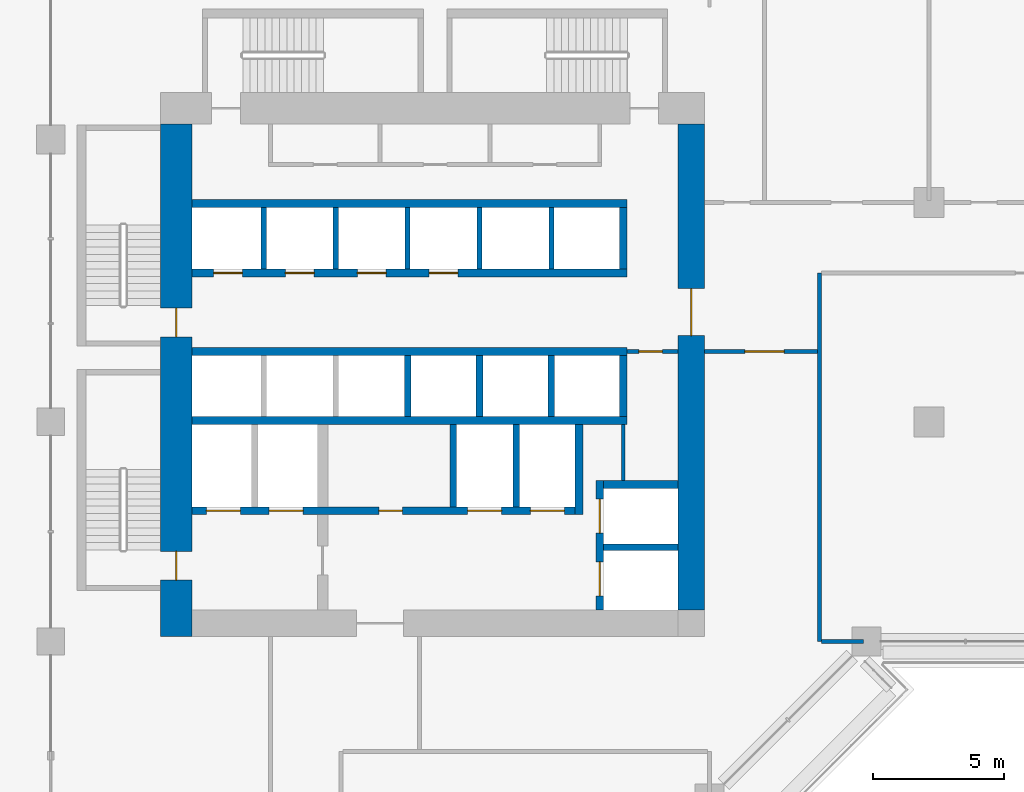
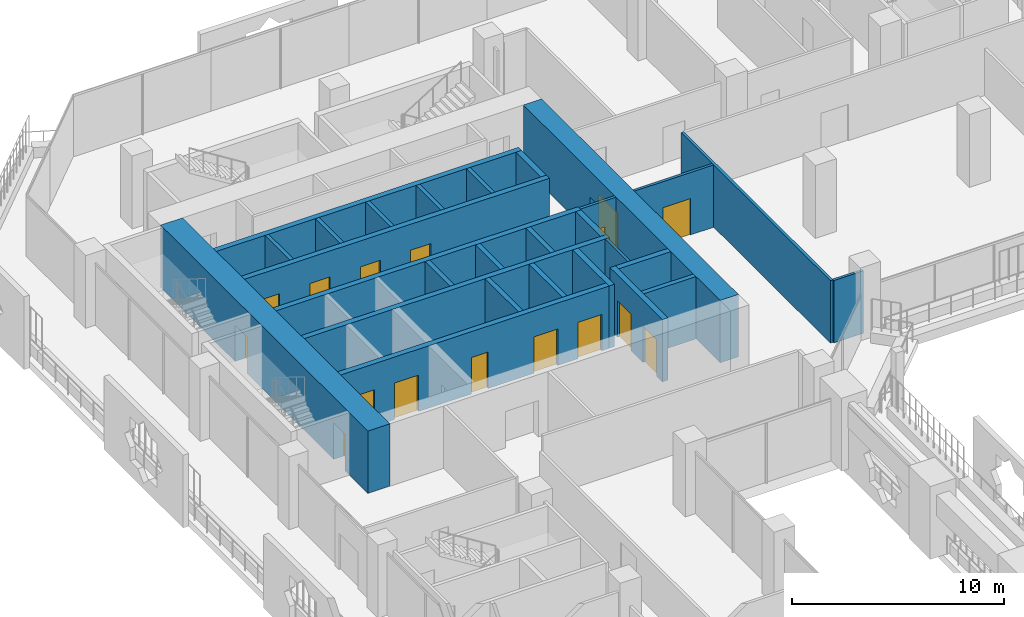
# One storey, part 14 of 27: 28 walls, 16 doors, 16 openings.
"""IFC4 building model written with IfcOpenShell, lengths in metres."""

from ifc_helpers import new_model, si_unit, direction, frame, frame_2d, origin, place, context, subcontext, project, spatial, rectangle, extrude, material, layer, layer_set, type_object, element, fill, save


model = new_model("IFC4")

# Units and contexts
model_context = context("Model", 3, precision=1e-05, world=origin(), true_north=direction((0.0, 1.0)))
body_context = subcontext(model_context, "Body", "Model", "MODEL_VIEW")
ifc_project = project(units=[si_unit("LENGTHUNIT", "METRE"), si_unit("AREAUNIT", "SQUARE_METRE"), si_unit("VOLUMEUNIT", "CUBIC_METRE"), si_unit("PLANEANGLEUNIT", "RADIAN"), si_unit("MASSUNIT", "GRAM", prefix="KILO")], contexts=[model_context])

# Site, building, storey
site_placement = place(None, origin())
site = spatial("IfcSite", under=ifc_project, at=site_placement, CompositionType="ELEMENT")
building_placement = place(site_placement, origin())
building = spatial("IfcBuilding", under=site, at=building_placement, Name="Kawkab Arch Medical Tower", CompositionType="ELEMENT")
storey_placement = place(building_placement, frame((0.0, 0.0, 103.0)))
storey = spatial("IfcBuildingStorey", under=building, at=storey_placement, Name="L23", CompositionType="ELEMENT", Elevation=103.0)

# Wall, opening, door
ifc_material_1 = material(Name="Concrete C60/75", Category="concrete")
ifc_layer_1 = layer(ifc_material_1, 1.0)
ifc_layer_set_1 = layer_set([ifc_layer_1], Name="Concrete C60/75")
wall_type_1 = type_object("IfcWallType", Name="Core ring wall 1000 C60/75", PredefinedType="SHEAR", material=ifc_layer_set_1)
wall_1_placement = place(storey_placement, frame((24.5, -24.0, 0.0), z_axis=(0.0, 0.0, 1.0), x_axis=(0.0, 1.0, 0.0)))
wall_1 = element("IfcWall", 1, at=wall_1_placement, inside=storey, type_object=wall_type_1, Name="L23 core wall", PredefinedType="SHEAR", context=body_context, shape_type="SweptSolid", body=[
    extrude(rectangle(XDim=18.60009765625, YDim=1.0, at=frame_2d((9.300048828125, 0.0))), origin(), (0.0, 0.0, 1.0), 3.60009765625),
])
opening_1_placement = place(wall_1_placement, frame((10.5, 0.0, 0.0)))
opening_1 = element("IfcOpeningElement", 2, at=opening_1_placement, cuts=wall_1, Name="Opening PD", PredefinedType="OPENING", context=body_context, shape_type="SweptSolid", body=[
    extrude(rectangle(XDim=1.800048828125, YDim=2.10009765625, at=frame_2d((0.89990234375, 1.050048828125))), frame((0.0, 0.510009765625, 0.0), z_axis=(0.0, -1.0, 0.0), x_axis=(1.0, 0.0, 0.0)), (0.0, 0.0, 1.0), 1.02001953125),
])
ifc_material_2 = material(Name="Hollow metal fire door leaf")
door_type_1 = type_object("IfcDoorType", Name="Core entrance doors 1800", OperationType="DOUBLE_DOOR_SINGLE_SWING", PredefinedType="DOOR", material=ifc_material_2)
door_1_placement = place(opening_1_placement, origin())
door_1 = element("IfcDoor", 3, at=door_1_placement, inside=storey, type_object=door_type_1, Name="L23 East entrance doors", OperationType="DOUBLE_DOOR_SINGLE_SWING", OverallHeight=2.10009765625, OverallWidth=1.800048828125, PredefinedType="DOOR", context=body_context, shape_type="SweptSolid", body=[
    extrude(rectangle(XDim=1.800048828125, YDim=2.10009765625, at=frame_2d((0.89990234375, 1.050048828125))), frame((0.0, 0.02490234375, 0.0), z_axis=(0.0, -1.0, 0.0), x_axis=(1.0, 0.0, 0.0)), (0.0, 0.0, 1.0), 0.050048828125),
])
fill(opening_1, door_1)

# Wall, openings, doors
ifc_material_3 = material(Name="Concrete C60/75", Category="concrete")
ifc_layer_2 = layer(ifc_material_3, 1.199951171875)
ifc_layer_set_2 = layer_set([ifc_layer_2], Name="Concrete C60/75")
wall_type_2 = type_object("IfcWallType", Name="Core ring wall 1200 C60/75", PredefinedType="SHEAR", material=ifc_layer_set_2)
wall_2_placement = place(storey_placement, frame((4.800048828125, -25.0, 0.0), z_axis=(0.0, 0.0, 1.0), x_axis=(0.0, 1.0, 0.0)))
wall_2 = element("IfcWall", 4, at=wall_2_placement, inside=storey, type_object=wall_type_2, Name="L23 core wall", PredefinedType="SHEAR", context=body_context, shape_type="SweptSolid", body=[
    extrude(rectangle(XDim=19.60009765625, YDim=1.199951171875, at=frame_2d((9.800048828125, 0.0))), origin(), (0.0, 0.0, 1.0), 3.60009765625),
])
opening_2_placement = place(wall_2_placement, frame((11.449951171875, 0.0, 0.0)))
opening_2 = element("IfcOpeningElement", 5, at=opening_2_placement, cuts=wall_2, Name="Opening SD", PredefinedType="OPENING", context=body_context, shape_type="SweptSolid", body=[
    extrude(rectangle(XDim=1.10009765625, YDim=2.10009765625, at=frame_2d((0.550048828125, 1.050048828125))), frame((0.0, 0.60986328125, 0.0), z_axis=(0.0, -1.0, 0.0), x_axis=(1.0, 0.0, 0.0)), (0.0, 0.0, 1.0), 1.219970703125),
])
opening_3_placement = place(wall_2_placement, frame((2.14990234375, 0.0, 0.0)))
opening_3 = element("IfcOpeningElement", 6, at=opening_3_placement, cuts=wall_2, Name="Opening SD", PredefinedType="OPENING", context=body_context, shape_type="SweptSolid", body=[
    extrude(rectangle(XDim=1.10009765625, YDim=2.10009765625, at=frame_2d((0.550048828125, 1.050048828125))), frame((0.0, 0.60986328125, 0.0), z_axis=(0.0, -1.0, 0.0), x_axis=(1.0, 0.0, 0.0)), (0.0, 0.0, 1.0), 1.219970703125),
])
ifc_material_4 = material(Name="Hollow metal fire door leaf")
door_type_2 = type_object("IfcDoorType", Name="Exit stair door 1100", OperationType="SINGLE_SWING_LEFT", PredefinedType="DOOR", material=ifc_material_4)
door_2_placement = place(opening_2_placement, origin())
door_2 = element("IfcDoor", 7, at=door_2_placement, inside=storey, type_object=door_type_2, Name="L23 Exit stair ST1 door", OperationType="SINGLE_SWING_LEFT", OverallHeight=2.10009765625, OverallWidth=1.10009765625, PredefinedType="DOOR", context=body_context, shape_type="SweptSolid", body=[
    extrude(rectangle(XDim=1.10009765625, YDim=2.10009765625, at=frame_2d((0.550048828125, 1.050048828125))), frame((0.0, 0.02490234375, 0.0), z_axis=(0.0, -1.0, 0.0), x_axis=(1.0, 0.0, 0.0)), (0.0, 0.0, 1.0), 0.050048828125),
])
fill(opening_2, door_2)
door_3_placement = place(opening_3_placement, origin())
door_3 = element("IfcDoor", 8, at=door_3_placement, inside=storey, type_object=door_type_2, Name="L23 Exit stair ST2 door", OperationType="SINGLE_SWING_LEFT", OverallHeight=2.10009765625, OverallWidth=1.10009765625, PredefinedType="DOOR", context=body_context, shape_type="SweptSolid", body=[
    extrude(rectangle(XDim=1.10009765625, YDim=2.10009765625, at=frame_2d((0.550048828125, 1.050048828125))), frame((0.0, 0.02490234375, 0.0), z_axis=(0.0, -1.0, 0.0), x_axis=(1.0, 0.0, 0.0)), (0.0, 0.0, 1.0), 0.050048828125),
])
fill(opening_3, door_3)

# Wall
ifc_material_5 = material(Name="Gypsum board on steel studs", Category="steel")
ifc_layer_3 = layer(ifc_material_5, 0.14990234375)
ifc_layer_set_3 = layer_set([ifc_layer_3], Name="Gypsum board on steel studs")
wall_type_3 = type_object("IfcWallType", Name="Core room partition 150", PredefinedType="PARTITIONING", material=ifc_layer_set_3)
wall_3_placement = place(storey_placement, frame((21.89990234375, -19.050048828125, 0.0), z_axis=(0.0, 0.0, 1.0), x_axis=(0.0, 1.0, 0.0)))
element("IfcWall", 9, at=wall_3_placement, inside=storey, type_object=wall_type_3, Name="L23 core room partition", PredefinedType="PARTITIONING", context=body_context, shape_type="SweptSolid", body=[
    extrude(rectangle(XDim=2.150146484375, YDim=0.14990234375, at=frame_2d((1.0751953125, 0.0))), origin(), (0.0, 0.0, 1.0), 3.60009765625),
])

# Wall, opening, door
wall_4_placement = place(storey_placement, frame((22.050048828125, -14.10009765625, 0.0), z_axis=(0.0, 0.0, 1.0), x_axis=(1.0, 0.0, 0.0)))
wall_4 = element("IfcWall", 10, at=wall_4_placement, inside=storey, type_object=wall_type_3, Name="L23 core room partition", PredefinedType="PARTITIONING", context=body_context, shape_type="SweptSolid", body=[
    extrude(rectangle(XDim=1.949951171875, YDim=0.14990234375, at=frame_2d((0.97509765625, 0.0))), origin(), (0.0, 0.0, 1.0), 3.60009765625),
])
opening_4_placement = place(wall_4_placement, frame((0.449951171875, 0.0, 0.0)))
opening_4 = element("IfcOpeningElement", 11, at=opening_4_placement, cuts=wall_4, Name="Opening RD", PredefinedType="OPENING", context=body_context, shape_type="SweptSolid", body=[
    extrude(rectangle(XDim=0.89990234375, YDim=2.10009765625, at=frame_2d((0.449951171875, 1.050048828125))), frame((0.0, 0.0849609375, 0.0), z_axis=(0.0, -1.0, 0.0), x_axis=(1.0, 0.0, 0.0)), (0.0, 0.0, 1.0), 0.169921875),
])
ifc_material_6 = material(Name="Hollow metal fire door leaf")
door_type_3 = type_object("IfcDoorType", Name="Core room door 900", OperationType="SINGLE_SWING_LEFT", PredefinedType="DOOR", material=ifc_material_6)
door_4_placement = place(opening_4_placement, origin())
door_4 = element("IfcDoor", 12, at=door_4_placement, inside=storey, type_object=door_type_3, Name="L23 Clean utility room door", OperationType="SINGLE_SWING_LEFT", OverallHeight=2.10009765625, OverallWidth=0.89990234375, PredefinedType="DOOR", context=body_context, shape_type="SweptSolid", body=[
    extrude(rectangle(XDim=0.89990234375, YDim=2.10009765625, at=frame_2d((0.449951171875, 1.050048828125))), frame((0.0, 0.02490234375, 0.0), z_axis=(0.0, -1.0, 0.0), x_axis=(1.0, 0.0, 0.0)), (0.0, 0.0, 1.0), 0.050048828125),
])
fill(opening_4, door_4)

# Walls
ifc_material_7 = material(Name="Concrete C60/75", Category="concrete")
ifc_layer_4 = layer(ifc_material_7, 0.25)
ifc_layer_set_4 = layer_set([ifc_layer_4], Name="Concrete C60/75")
wall_type_4 = type_object("IfcWallType", Name="Core shear wall 250 C60/75", PredefinedType="SHEAR", material=ifc_layer_set_4)
wall_5_placement = place(storey_placement, frame((21.14990234375, -21.60009765625, 0.0), z_axis=(0.0, 0.0, 1.0), x_axis=(1.0, 0.0, 0.0)))
element("IfcWall", 13, at=wall_5_placement, inside=storey, type_object=wall_type_4, Name="L23 core shear wall", PredefinedType="SHEAR", context=body_context, shape_type="SweptSolid", body=[
    extrude(rectangle(XDim=2.85009765625, YDim=0.25, at=frame_2d((1.425048828125, 0.0))), origin(), (0.0, 0.0, 1.0), 3.60009765625),
])
for number, where, z_axis, x_axis, name in (
    (14, (15.39990234375, -20.050048828125, 0.0), (0.0, 0.0, 1.0), (0.0, 1.0, 0.0), "L23 core shear wall"),
    (15, (17.800048828125, -20.050048828125, 0.0), (0.0, 0.0, 1.0), (0.0, 1.0, 0.0), "L23 core shear wall"),
):
    element("IfcWall", number, at=place(storey_placement, frame(where, z_axis=z_axis, x_axis=x_axis)), inside=storey, type_object=wall_type_4, Name=name, PredefinedType="SHEAR", context=body_context, shape_type="SweptSolid", body=[
        extrude(rectangle(XDim=3.150146484375, YDim=0.25, at=frame_2d((1.5751953125, 0.0))), origin(), (0.0, 0.0, 1.0), 3.60009765625),
    ])
for number, where, z_axis, x_axis, name in (
    (16, (13.64990234375, -16.60009765625, 0.0), (0.0, 0.0, 1.0), (0.0, 1.0, 0.0), "L23 core shear wall"),
    (17, (16.39990234375, -16.60009765625, 0.0), (0.0, 0.0, 1.0), (0.0, 1.0, 0.0), "L23 core shear wall"),
    (18, (19.14990234375, -16.60009765625, 0.0), (0.0, 0.0, 1.0), (0.0, 1.0, 0.0), "L23 core shear wall"),
):
    element("IfcWall", number, at=place(storey_placement, frame(where, z_axis=z_axis, x_axis=x_axis)), inside=storey, type_object=wall_type_4, Name=name, PredefinedType="SHEAR", context=body_context, shape_type="SweptSolid", body=[
        extrude(rectangle(XDim=2.35009765625, YDim=0.25, at=frame_2d((1.175048828125, 0.0))), origin(), (0.0, 0.0, 1.0), 3.60009765625),
    ])
ifc_material_8 = material(Name="Concrete C60/75", Category="concrete")
ifc_layer_5 = layer(ifc_material_8, 0.300048828125)
ifc_layer_set_5 = layer_set([ifc_layer_5], Name="Concrete C60/75")
wall_type_5 = type_object("IfcWallType", Name="Core shear wall 300 C60/75", PredefinedType="SHEAR", material=ifc_layer_set_5)
wall_6_placement = place(storey_placement, frame((5.39990234375, -8.449951171875, 0.0), z_axis=(0.0, 0.0, 1.0), x_axis=(1.0, 0.0, 0.0)))
element("IfcWall", 19, at=wall_6_placement, inside=storey, type_object=wall_type_5, Name="L23 core shear wall", PredefinedType="SHEAR", context=body_context, shape_type="SweptSolid", body=[
    extrude(rectangle(XDim=16.650146484375, YDim=0.300048828125, at=frame_2d((8.3251953125, 0.0))), origin(), (0.0, 0.0, 1.0), 3.60009765625),
])

# Wall, openings, doors
wall_7_placement = place(storey_placement, frame((5.39990234375, -11.10009765625, 0.0), z_axis=(0.0, 0.0, 1.0), x_axis=(1.0, 0.0, 0.0)))
wall_7 = element("IfcWall", 20, at=wall_7_placement, inside=storey, type_object=wall_type_5, Name="L23 core shear wall", PredefinedType="SHEAR", context=body_context, shape_type="SweptSolid", body=[
    extrude(rectangle(XDim=16.650146484375, YDim=0.300048828125, at=frame_2d((8.3251953125, 0.0))), origin(), (0.0, 0.0, 1.0), 3.60009765625),
])
opening_5_placement = place(wall_7_placement, frame((0.824951171875, 0.0, 0.0)))
opening_5 = element("IfcOpeningElement", 21, at=opening_5_placement, cuts=wall_7, Name="Opening LD1", PredefinedType="OPENING", context=body_context, shape_type="SweptSolid", body=[
    extrude(rectangle(XDim=1.10009765625, YDim=2.10009765625, at=frame_2d((0.550048828125, 1.050048828125))), frame((0.0, 0.159912109375, 0.0), z_axis=(0.0, -1.0, 0.0), x_axis=(1.0, 0.0, 0.0)), (0.0, 0.0, 1.0), 0.320068359375),
])
opening_6_placement = place(wall_7_placement, frame((3.574951171875, 0.0, 0.0)))
opening_6 = element("IfcOpeningElement", 22, at=opening_6_placement, cuts=wall_7, Name="Opening LD1", PredefinedType="OPENING", context=body_context, shape_type="SweptSolid", body=[
    extrude(rectangle(XDim=1.10009765625, YDim=2.10009765625, at=frame_2d((0.550048828125, 1.050048828125))), frame((0.0, 0.159912109375, 0.0), z_axis=(0.0, -1.0, 0.0), x_axis=(1.0, 0.0, 0.0)), (0.0, 0.0, 1.0), 0.320068359375),
])
opening_7_placement = place(wall_7_placement, frame((6.324951171875, 0.0, 0.0)))
opening_7 = element("IfcOpeningElement", 23, at=opening_7_placement, cuts=wall_7, Name="Opening LD1", PredefinedType="OPENING", context=body_context, shape_type="SweptSolid", body=[
    extrude(rectangle(XDim=1.10009765625, YDim=2.10009765625, at=frame_2d((0.550048828125, 1.050048828125))), frame((0.0, 0.159912109375, 0.0), z_axis=(0.0, -1.0, 0.0), x_axis=(1.0, 0.0, 0.0)), (0.0, 0.0, 1.0), 0.320068359375),
])
opening_8_placement = place(wall_7_placement, frame((9.074951171875, 0.0, 0.0)))
opening_8 = element("IfcOpeningElement", 24, at=opening_8_placement, cuts=wall_7, Name="Opening LD1", PredefinedType="OPENING", context=body_context, shape_type="SweptSolid", body=[
    extrude(rectangle(XDim=1.10009765625, YDim=2.10009765625, at=frame_2d((0.550048828125, 1.050048828125))), frame((0.0, 0.159912109375, 0.0), z_axis=(0.0, -1.0, 0.0), x_axis=(1.0, 0.0, 0.0)), (0.0, 0.0, 1.0), 0.320068359375),
])
ifc_material_9 = material(Name="Stainless steel lift door leaf", Category="steel")
door_type_4 = type_object("IfcDoorType", Name="Lift landing door 1100", OperationType="DOUBLE_DOOR_SLIDING", PredefinedType="DOOR", material=ifc_material_9)
door_5_placement = place(opening_5_placement, origin())
door_5 = element("IfcDoor", 25, at=door_5_placement, inside=storey, type_object=door_type_4, Name="L23 Lift landing door LP1", OperationType="DOUBLE_DOOR_SLIDING", OverallHeight=2.10009765625, OverallWidth=1.10009765625, PredefinedType="DOOR", context=body_context, shape_type="SweptSolid", body=[
    extrude(rectangle(XDim=1.10009765625, YDim=2.10009765625, at=frame_2d((0.550048828125, 1.050048828125))), frame((0.0, 0.02490234375, 0.0), z_axis=(0.0, -1.0, 0.0), x_axis=(1.0, 0.0, 0.0)), (0.0, 0.0, 1.0), 0.050048828125),
])
fill(opening_5, door_5)
door_6_placement = place(opening_6_placement, origin())
door_6 = element("IfcDoor", 26, at=door_6_placement, inside=storey, type_object=door_type_4, Name="L23 Lift landing door LP2", OperationType="DOUBLE_DOOR_SLIDING", OverallHeight=2.10009765625, OverallWidth=1.10009765625, PredefinedType="DOOR", context=body_context, shape_type="SweptSolid", body=[
    extrude(rectangle(XDim=1.10009765625, YDim=2.10009765625, at=frame_2d((0.550048828125, 1.050048828125))), frame((0.0, 0.02490234375, 0.0), z_axis=(0.0, -1.0, 0.0), x_axis=(1.0, 0.0, 0.0)), (0.0, 0.0, 1.0), 0.050048828125),
])
fill(opening_6, door_6)
door_7_placement = place(opening_7_placement, origin())
door_7 = element("IfcDoor", 27, at=door_7_placement, inside=storey, type_object=door_type_4, Name="L23 Lift landing door LP3", OperationType="DOUBLE_DOOR_SLIDING", OverallHeight=2.10009765625, OverallWidth=1.10009765625, PredefinedType="DOOR", context=body_context, shape_type="SweptSolid", body=[
    extrude(rectangle(XDim=1.10009765625, YDim=2.10009765625, at=frame_2d((0.550048828125, 1.050048828125))), frame((0.0, 0.02490234375, 0.0), z_axis=(0.0, -1.0, 0.0), x_axis=(1.0, 0.0, 0.0)), (0.0, 0.0, 1.0), 0.050048828125),
])
fill(opening_7, door_7)
door_8_placement = place(opening_8_placement, origin())
door_8 = element("IfcDoor", 28, at=door_8_placement, inside=storey, type_object=door_type_4, Name="L23 Lift landing door LP4", OperationType="DOUBLE_DOOR_SLIDING", OverallHeight=2.10009765625, OverallWidth=1.10009765625, PredefinedType="DOOR", context=body_context, shape_type="SweptSolid", body=[
    extrude(rectangle(XDim=1.10009765625, YDim=2.10009765625, at=frame_2d((0.550048828125, 1.050048828125))), frame((0.0, 0.02490234375, 0.0), z_axis=(0.0, -1.0, 0.0), x_axis=(1.0, 0.0, 0.0)), (0.0, 0.0, 1.0), 0.050048828125),
])
fill(opening_8, door_8)

# Walls
for number, where, z_axis, x_axis, name in (
    (29, (5.39990234375, -14.10009765625, 0.0), (0.0, 0.0, 1.0), (1.0, 0.0, 0.0), "L23 core shear wall"),
    (30, (5.39990234375, -16.75, 0.0), (0.0, 0.0, 1.0), (1.0, 0.0, 0.0), "L23 core shear wall"),
):
    element("IfcWall", number, at=place(storey_placement, frame(where, z_axis=z_axis, x_axis=x_axis)), inside=storey, type_object=wall_type_5, Name=name, PredefinedType="SHEAR", context=body_context, shape_type="SweptSolid", body=[
        extrude(rectangle(XDim=16.650146484375, YDim=0.300048828125, at=frame_2d((8.3251953125, 0.0))), origin(), (0.0, 0.0, 1.0), 3.60009765625),
    ])

# Wall, openings, doors
wall_8_placement = place(storey_placement, frame((5.39990234375, -20.199951171875, 0.0), z_axis=(0.0, 0.0, 1.0), x_axis=(1.0, 0.0, 0.0)))
wall_8 = element("IfcWall", 31, at=wall_8_placement, inside=storey, type_object=wall_type_5, Name="L23 core shear wall", PredefinedType="SHEAR", context=body_context, shape_type="SweptSolid", body=[
    extrude(rectangle(XDim=14.650146484375, YDim=0.300048828125, at=frame_2d((7.3251953125, 0.0))), origin(), (0.0, 0.0, 1.0), 3.60009765625),
])
opening_9_placement = place(wall_8_placement, frame((10.550048828125, 0.0, 0.0)))
opening_9 = element("IfcOpeningElement", 32, at=opening_9_placement, cuts=wall_8, Name="Opening LD2", PredefinedType="OPENING", context=body_context, shape_type="SweptSolid", body=[
    extrude(rectangle(XDim=1.300048828125, YDim=2.10009765625, at=frame_2d((0.64990234375, 1.050048828125))), frame((0.0, 0.159912109375, 0.0), z_axis=(0.0, -1.0, 0.0), x_axis=(1.0, 0.0, 0.0)), (0.0, 0.0, 1.0), 0.320068359375),
])
opening_10_placement = place(wall_8_placement, frame((12.949951171875, 0.0, 0.0)))
opening_10 = element("IfcOpeningElement", 33, at=opening_10_placement, cuts=wall_8, Name="Opening LD2", PredefinedType="OPENING", context=body_context, shape_type="SweptSolid", body=[
    extrude(rectangle(XDim=1.300048828125, YDim=2.10009765625, at=frame_2d((0.64990234375, 1.050048828125))), frame((0.0, 0.159912109375, 0.0), z_axis=(0.0, -1.0, 0.0), x_axis=(1.0, 0.0, 0.0)), (0.0, 0.0, 1.0), 0.320068359375),
])
opening_11_placement = place(wall_8_placement, frame((0.550048828125, 0.0, 0.0)))
opening_11 = element("IfcOpeningElement", 34, at=opening_11_placement, cuts=wall_8, Name="Opening LD2", PredefinedType="OPENING", context=body_context, shape_type="SweptSolid", body=[
    extrude(rectangle(XDim=1.300048828125, YDim=2.10009765625, at=frame_2d((0.64990234375, 1.050048828125))), frame((0.0, 0.159912109375, 0.0), z_axis=(0.0, -1.0, 0.0), x_axis=(1.0, 0.0, 0.0)), (0.0, 0.0, 1.0), 0.320068359375),
])
opening_12_placement = place(wall_8_placement, frame((2.949951171875, 0.0, 0.0)))
opening_12 = element("IfcOpeningElement", 35, at=opening_12_placement, cuts=wall_8, Name="Opening LD2", PredefinedType="OPENING", context=body_context, shape_type="SweptSolid", body=[
    extrude(rectangle(XDim=1.300048828125, YDim=2.10009765625, at=frame_2d((0.64990234375, 1.050048828125))), frame((0.0, 0.159912109375, 0.0), z_axis=(0.0, -1.0, 0.0), x_axis=(1.0, 0.0, 0.0)), (0.0, 0.0, 1.0), 0.320068359375),
])
opening_13_placement = place(wall_8_placement, frame((7.14990234375, 0.0, 0.0)))
opening_13 = element("IfcOpeningElement", 36, at=opening_13_placement, cuts=wall_8, Name="Opening RD", PredefinedType="OPENING", context=body_context, shape_type="SweptSolid", body=[
    extrude(rectangle(XDim=0.89990234375, YDim=2.10009765625, at=frame_2d((0.449951171875, 1.050048828125))), frame((0.0, 0.159912109375, 0.0), z_axis=(0.0, -1.0, 0.0), x_axis=(1.0, 0.0, 0.0)), (0.0, 0.0, 1.0), 0.320068359375),
])
door_9_placement = place(opening_13_placement, origin())
door_9 = element("IfcDoor", 37, at=door_9_placement, inside=storey, type_object=door_type_3, Name="L23 Equipment store door", OperationType="SINGLE_SWING_LEFT", OverallHeight=2.10009765625, OverallWidth=0.89990234375, PredefinedType="DOOR", context=body_context, shape_type="SweptSolid", body=[
    extrude(rectangle(XDim=0.89990234375, YDim=2.10009765625, at=frame_2d((0.449951171875, 1.050048828125))), frame((0.0, 0.02490234375, 0.0), z_axis=(0.0, -1.0, 0.0), x_axis=(1.0, 0.0, 0.0)), (0.0, 0.0, 1.0), 0.050048828125),
])
fill(opening_13, door_9)
ifc_material_10 = material(Name="Stainless steel lift door leaf", Category="steel")
door_type_5 = type_object("IfcDoorType", Name="Lift landing door 1300", OperationType="DOUBLE_DOOR_SLIDING", PredefinedType="DOOR", material=ifc_material_10)
door_10_placement = place(opening_9_placement, origin())
door_10 = element("IfcDoor", 38, at=door_10_placement, inside=storey, type_object=door_type_5, Name="L23 Lift landing door BD3", OperationType="DOUBLE_DOOR_SLIDING", OverallHeight=2.10009765625, OverallWidth=1.300048828125, PredefinedType="DOOR", context=body_context, shape_type="SweptSolid", body=[
    extrude(rectangle(XDim=1.300048828125, YDim=2.10009765625, at=frame_2d((0.64990234375, 1.050048828125))), frame((0.0, 0.02490234375, 0.0), z_axis=(0.0, -1.0, 0.0), x_axis=(1.0, 0.0, 0.0)), (0.0, 0.0, 1.0), 0.050048828125),
])
fill(opening_9, door_10)
door_11_placement = place(opening_10_placement, origin())
door_11 = element("IfcDoor", 39, at=door_11_placement, inside=storey, type_object=door_type_5, Name="L23 Lift landing door BD4", OperationType="DOUBLE_DOOR_SLIDING", OverallHeight=2.10009765625, OverallWidth=1.300048828125, PredefinedType="DOOR", context=body_context, shape_type="SweptSolid", body=[
    extrude(rectangle(XDim=1.300048828125, YDim=2.10009765625, at=frame_2d((0.64990234375, 1.050048828125))), frame((0.0, 0.02490234375, 0.0), z_axis=(0.0, -1.0, 0.0), x_axis=(1.0, 0.0, 0.0)), (0.0, 0.0, 1.0), 0.050048828125),
])
fill(opening_10, door_11)
door_12_placement = place(opening_11_placement, origin())
door_12 = element("IfcDoor", 40, at=door_12_placement, inside=storey, type_object=door_type_5, Name="L23 Lift landing door FL1", OperationType="DOUBLE_DOOR_SLIDING", OverallHeight=2.10009765625, OverallWidth=1.300048828125, PredefinedType="DOOR", context=body_context, shape_type="SweptSolid", body=[
    extrude(rectangle(XDim=1.300048828125, YDim=2.10009765625, at=frame_2d((0.64990234375, 1.050048828125))), frame((0.0, 0.02490234375, 0.0), z_axis=(0.0, -1.0, 0.0), x_axis=(1.0, 0.0, 0.0)), (0.0, 0.0, 1.0), 0.050048828125),
])
fill(opening_11, door_12)
door_13_placement = place(opening_12_placement, origin())
door_13 = element("IfcDoor", 41, at=door_13_placement, inside=storey, type_object=door_type_5, Name="L23 Lift landing door FL2", OperationType="DOUBLE_DOOR_SLIDING", OverallHeight=2.10009765625, OverallWidth=1.300048828125, PredefinedType="DOOR", context=body_context, shape_type="SweptSolid", body=[
    extrude(rectangle(XDim=1.300048828125, YDim=2.10009765625, at=frame_2d((0.64990234375, 1.050048828125))), frame((0.0, 0.02490234375, 0.0), z_axis=(0.0, -1.0, 0.0), x_axis=(1.0, 0.0, 0.0)), (0.0, 0.0, 1.0), 0.050048828125),
])
fill(opening_12, door_13)

# Walls
wall_9_placement = place(storey_placement, frame((20.199951171875, -20.35009765625, 0.0), z_axis=(0.0, 0.0, 1.0), x_axis=(0.0, 1.0, 0.0)))
element("IfcWall", 42, at=wall_9_placement, inside=storey, type_object=wall_type_5, Name="L23 core shear wall", PredefinedType="SHEAR", context=body_context, shape_type="SweptSolid", body=[
    extrude(rectangle(XDim=3.4501953125, YDim=0.300048828125, at=frame_2d((1.72509765625, 0.0))), origin(), (0.0, 0.0, 1.0), 3.60009765625),
])
wall_10_placement = place(storey_placement, frame((21.89990234375, -10.949951171875, 0.0), z_axis=(0.0, 0.0, 1.0), x_axis=(0.0, 1.0, 0.0)))
element("IfcWall", 43, at=wall_10_placement, inside=storey, type_object=wall_type_5, Name="L23 core shear wall", PredefinedType="SHEAR", context=body_context, shape_type="SweptSolid", body=[
    extrude(rectangle(XDim=2.349853515625, YDim=0.300048828125, at=frame_2d((1.1748046875, 0.0))), origin(), (0.0, 0.0, 1.0), 3.60009765625),
])
wall_11_placement = place(storey_placement, frame((21.89990234375, -16.60009765625, 0.0), z_axis=(0.0, 0.0, 1.0), x_axis=(0.0, 1.0, 0.0)))
element("IfcWall", 44, at=wall_11_placement, inside=storey, type_object=wall_type_5, Name="L23 core shear wall", PredefinedType="SHEAR", context=body_context, shape_type="SweptSolid", body=[
    extrude(rectangle(XDim=2.35009765625, YDim=0.300048828125, at=frame_2d((1.175048828125, 0.0))), origin(), (0.0, 0.0, 1.0), 3.60009765625),
])
wall_12_placement = place(storey_placement, frame((21.14990234375, -19.199951171875, 0.0), z_axis=(0.0, 0.0, 1.0), x_axis=(1.0, 0.0, 0.0)))
element("IfcWall", 45, at=wall_12_placement, inside=storey, type_object=wall_type_5, Name="L23 core shear wall", PredefinedType="SHEAR", context=body_context, shape_type="SweptSolid", body=[
    extrude(rectangle(XDim=2.85009765625, YDim=0.300048828125, at=frame_2d((1.425048828125, 0.0))), origin(), (0.0, 0.0, 1.0), 3.60009765625),
])

# Wall, openings, doors
wall_13_placement = place(storey_placement, frame((21.0, -24.0, 0.0), z_axis=(0.0, 0.0, 1.0), x_axis=(0.0, 1.0, 0.0)))
wall_13 = element("IfcWall", 46, at=wall_13_placement, inside=storey, type_object=wall_type_5, Name="L23 core shear wall", PredefinedType="SHEAR", context=body_context, shape_type="SweptSolid", body=[
    extrude(rectangle(XDim=4.949951171875, YDim=0.300048828125, at=frame_2d((2.47509765625, 0.0))), origin(), (0.0, 0.0, 1.0), 3.60009765625),
])
opening_14_placement = place(wall_13_placement, frame((2.949951171875, 0.0, 0.0)))
opening_14 = element("IfcOpeningElement", 47, at=opening_14_placement, cuts=wall_13, Name="Opening LD2", PredefinedType="OPENING", context=body_context, shape_type="SweptSolid", body=[
    extrude(rectangle(XDim=1.300048828125, YDim=2.10009765625, at=frame_2d((0.64990234375, 1.050048828125))), frame((0.0, 0.159912109375, 0.0), z_axis=(0.0, -1.0, 0.0), x_axis=(1.0, 0.0, 0.0)), (0.0, 0.0, 1.0), 0.320068359375),
])
opening_15_placement = place(wall_13_placement, frame((0.550048828125, 0.0, 0.0)))
opening_15 = element("IfcOpeningElement", 48, at=opening_15_placement, cuts=wall_13, Name="Opening LD2", PredefinedType="OPENING", context=body_context, shape_type="SweptSolid", body=[
    extrude(rectangle(XDim=1.300048828125, YDim=2.10009765625, at=frame_2d((0.64990234375, 1.050048828125))), frame((0.0, 0.159912109375, 0.0), z_axis=(0.0, -1.0, 0.0), x_axis=(1.0, 0.0, 0.0)), (0.0, 0.0, 1.0), 0.320068359375),
])
door_14_placement = place(opening_14_placement, origin())
door_14 = element("IfcDoor", 49, at=door_14_placement, inside=storey, type_object=door_type_5, Name="L23 Lift landing door BD1", OperationType="DOUBLE_DOOR_SLIDING", OverallHeight=2.10009765625, OverallWidth=1.300048828125, PredefinedType="DOOR", context=body_context, shape_type="SweptSolid", body=[
    extrude(rectangle(XDim=1.300048828125, YDim=2.10009765625, at=frame_2d((0.64990234375, 1.050048828125))), frame((0.0, 0.02490234375, 0.0), z_axis=(0.0, -1.0, 0.0), x_axis=(1.0, 0.0, 0.0)), (0.0, 0.0, 1.0), 0.050048828125),
])
fill(opening_14, door_14)
door_15_placement = place(opening_15_placement, origin())
door_15 = element("IfcDoor", 50, at=door_15_placement, inside=storey, type_object=door_type_5, Name="L23 Lift landing door BD2", OperationType="DOUBLE_DOOR_SLIDING", OverallHeight=2.10009765625, OverallWidth=1.300048828125, PredefinedType="DOOR", context=body_context, shape_type="SweptSolid", body=[
    extrude(rectangle(XDim=1.300048828125, YDim=2.10009765625, at=frame_2d((0.64990234375, 1.050048828125))), frame((0.0, 0.02490234375, 0.0), z_axis=(0.0, -1.0, 0.0), x_axis=(1.0, 0.0, 0.0)), (0.0, 0.0, 1.0), 0.050048828125),
])
fill(opening_15, door_15)

# Walls
ifc_material_11 = material(Name="Dense concrete blockwork", Category="masonry")
ifc_layer_6 = layer(ifc_material_11, 0.199951171875)
ifc_layer_set_6 = layer_set([ifc_layer_6], Name="Dense concrete blockwork")
wall_type_6 = type_object("IfcWallType", Name="Lift shaft partition 200", PredefinedType="PARTITIONING", material=ifc_layer_set_6)
for number, where, z_axis, x_axis, name in (
    (51, (8.14990234375, -10.949951171875, 0.0), (0.0, 0.0, 1.0), (0.0, 1.0, 0.0), "L23 lift shaft partition"),
    (52, (10.89990234375, -10.949951171875, 0.0), (0.0, 0.0, 1.0), (0.0, 1.0, 0.0), "L23 lift shaft partition"),
    (53, (13.64990234375, -10.949951171875, 0.0), (0.0, 0.0, 1.0), (0.0, 1.0, 0.0), "L23 lift shaft partition"),
    (54, (16.39990234375, -10.949951171875, 0.0), (0.0, 0.0, 1.0), (0.0, 1.0, 0.0), "L23 lift shaft partition"),
    (55, (19.14990234375, -10.949951171875, 0.0), (0.0, 0.0, 1.0), (0.0, 1.0, 0.0), "L23 lift shaft partition"),
):
    element("IfcWall", number, at=place(storey_placement, frame(where, z_axis=z_axis, x_axis=x_axis)), inside=storey, type_object=wall_type_6, Name=name, PredefinedType="PARTITIONING", context=body_context, shape_type="SweptSolid", body=[
        extrude(rectangle(XDim=2.349853515625, YDim=0.199951171875, at=frame_2d((1.1748046875, 0.0))), origin(), (0.0, 0.0, 1.0), 3.60009765625),
    ])
ifc_material_12 = material(Name="Gypsum board partition on steel studs, mineral wool", Category="steel")
ifc_layer_7 = layer(ifc_material_12, 0.14990234375)
ifc_layer_set_7 = layer_set([ifc_layer_7], Name="Gypsum board partition on steel studs, mineral wool")
wall_type_7 = type_object("IfcWallType", Name="Partition 150", PredefinedType="PARTITIONING", material=ifc_layer_set_7)
wall_14_placement = place(storey_placement, frame((29.47509765625, -25.199951171875, 0.0), z_axis=(0.0, 0.0, 1.0), x_axis=(1.0, 0.0, 0.0)))
element("IfcWall", 56, at=wall_14_placement, inside=storey, type_object=wall_type_7, Name="Partition 150 w011", PredefinedType="PARTITIONING", context=body_context, shape_type="SweptSolid", body=[
    extrude(rectangle(XDim=1.61181640625, YDim=0.14990234375, at=frame_2d((0.805908203125, 0.0))), origin(), (0.0, 0.0, 1.0), 3.60009765625),
])

# Wall, opening, door
wall_15_placement = place(storey_placement, frame((25.0, -14.10009765625, 0.0), z_axis=(0.0, 0.0, 1.0), x_axis=(1.0, 0.0, 0.0)))
wall_15 = element("IfcWall", 57, at=wall_15_placement, inside=storey, type_object=wall_type_7, Name="Partition 150 w012", PredefinedType="PARTITIONING", context=body_context, shape_type="SweptSolid", body=[
    extrude(rectangle(XDim=4.324951171875, YDim=0.14990234375, at=frame_2d((2.16259765625, 0.0))), origin(), (0.0, 0.0, 1.0), 3.60009765625),
])
opening_16_placement = place(wall_15_placement, frame((1.550048828125, 0.0, 0.0)))
opening_16 = element("IfcOpeningElement", 58, at=opening_16_placement, cuts=wall_15, Name="Opening B23-001", PredefinedType="OPENING", context=body_context, shape_type="SweptSolid", body=[
    extrude(rectangle(XDim=1.5, YDim=2.10009765625, at=frame_2d((0.75, 1.050048828125))), frame((0.0, 0.0849609375, 0.0), z_axis=(0.0, -1.0, 0.0), x_axis=(1.0, 0.0, 0.0)), (0.0, 0.0, 1.0), 0.169921875),
])
ifc_material_13 = material(Name="Hollow metal door leaf")
door_type_6 = type_object("IfcDoorType", Name="Double door 1500x2100 FD30S", OperationType="NOTDEFINED", PredefinedType="DOOR", material=ifc_material_13)
door_16_placement = place(opening_16_placement, origin())
door_16 = element("IfcDoor", 59, at=door_16_placement, inside=storey, type_object=door_type_6, Name="Door B23-001", OperationType="DOUBLE_DOOR_SINGLE_SWING", OverallHeight=2.10009765625, OverallWidth=1.5, PredefinedType="DOOR", context=body_context, shape_type="SweptSolid", body=[
    extrude(rectangle(XDim=1.5, YDim=2.10009765625, at=frame_2d((0.75, 1.050048828125))), frame((0.0, 0.02490234375, 0.0), z_axis=(0.0, -1.0, 0.0), x_axis=(1.0, 0.0, 0.0)), (0.0, 0.0, 1.0), 0.050048828125),
])
fill(opening_16, door_16)

# Wall
wall_16_placement = place(storey_placement, frame((29.39990234375, -25.199951171875, 0.0), z_axis=(0.0, 0.0, 1.0), x_axis=(0.0, 1.0, 0.0)))
element("IfcWall", 60, at=wall_16_placement, inside=storey, type_object=wall_type_7, Name="Partition 150 w034", PredefinedType="PARTITIONING", context=body_context, shape_type="SweptSolid", body=[
    extrude(rectangle(XDim=14.099853515625, YDim=0.14990234375, at=frame_2d((7.0498046875, 0.0))), origin(), (0.0, 0.0, 1.0), 3.60009765625),
])

save(model, "model.ifc")
